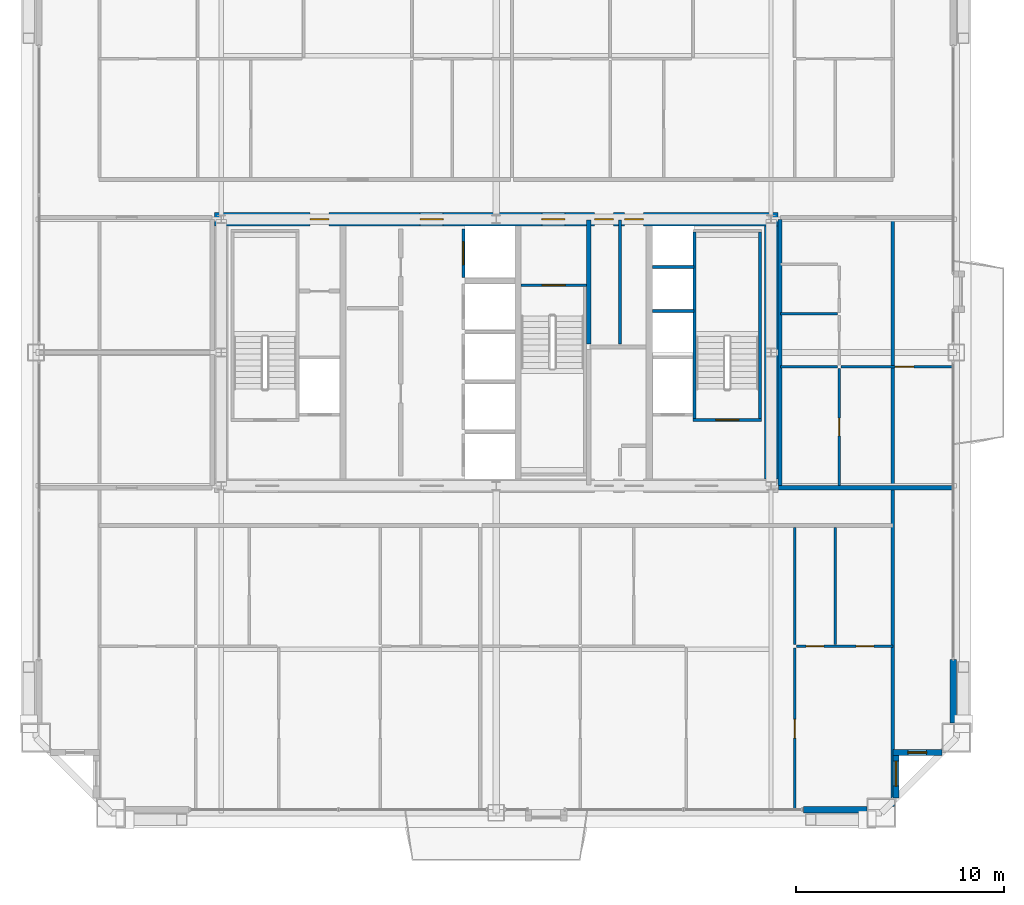
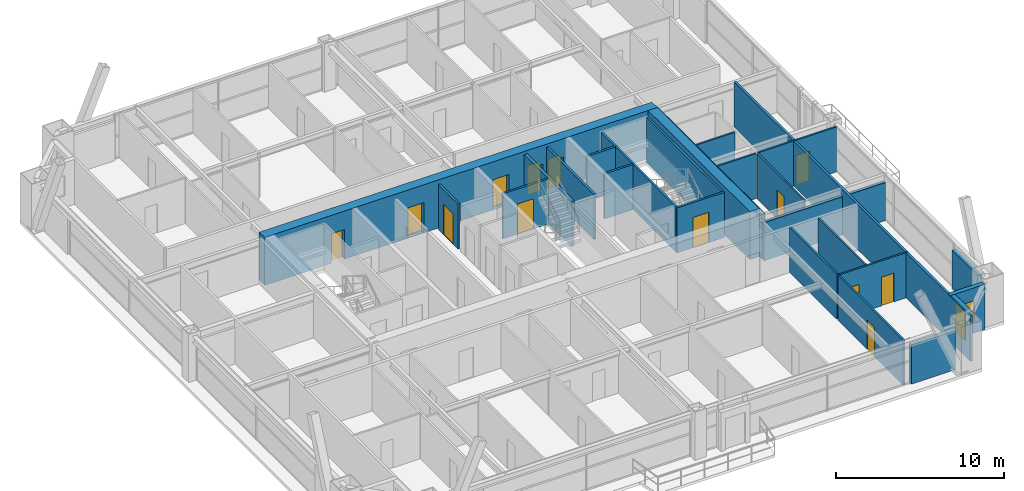
# One storey, part 42 of 45: 26 walls, 13 doors, 2 windows, 15 openings.
"""IFC4 building model written with IfcOpenShell, lengths in metres."""

from ifc_helpers import new_model, si_unit, direction, frame, frame_2d, origin, place, context, subcontext, project, spatial, rectangle, extrude, source, transform, mapped, material, layer, layer_set, type_object, element, fill, save


model = new_model("IFC4")

# Units and contexts
model_context = context("Model", 3, precision=1e-05, world=origin(), true_north=direction((0.0, 1.0)))
body_context = subcontext(model_context, "Body", "Model", "MODEL_VIEW")
ifc_project = project(units=[si_unit("LENGTHUNIT", "METRE"), si_unit("AREAUNIT", "SQUARE_METRE"), si_unit("VOLUMEUNIT", "CUBIC_METRE"), si_unit("PLANEANGLEUNIT", "RADIAN"), si_unit("MASSUNIT", "GRAM", prefix="KILO"), si_unit("THERMODYNAMICTEMPERATUREUNIT", "KELVIN"), si_unit("POWERUNIT", "WATT")], contexts=[model_context])

# Site, building, storey
site_placement = place(None, origin())
site = spatial("IfcSite", under=ifc_project, at=site_placement, CompositionType="ELEMENT")
building_placement = place(site_placement, origin())
building = spatial("IfcBuilding", under=site, at=building_placement, Name="Yuzanri Waterfront Tower", CompositionType="ELEMENT")
storey_placement = place(building_placement, frame((0.0, 0.0, 191.5)))
storey = spatial("IfcBuildingStorey", under=building, at=storey_placement, Name="L50", CompositionType="ELEMENT", Elevation=191.5)

# Wall, openings, doors
ifc_material_1 = material(Name="Moisture-Resistant Gypsum Stud Wall", Category="gypsum")
ifc_layer_1 = layer(ifc_material_1, 0.1201171875)
ifc_layer_set_1 = layer_set([ifc_layer_1], Name="Moisture-Resistant Gypsum Stud Wall")
wall_type_1 = type_object("IfcWallType", Name="Bathroom and Kitchen Wet Partition 120", PredefinedType="PARTITIONING", material=ifc_layer_set_1)
wall_1_placement = place(storey_placement, frame((51.4130859375, 11.699951171875, 0.0), z_axis=(0.0, 0.0, 1.0), x_axis=(1.0, 0.0, 0.0)))
wall_1 = element("IfcWall", 1, at=wall_1_placement, inside=storey, type_object=wall_type_1, Name="L50 Partition UW-L50-RS2-SUB-6-N", PredefinedType="PARTITIONING", context=body_context, shape_type="SweptSolid", body=[
    extrude(rectangle(XDim=4.64697265625, YDim=0.1201171875, at=frame_2d((2.323486328125, 0.0))), origin(), (0.0, 0.0, 1.0), 3.280029296875),
])
opening_1_placement = place(wall_1_placement, frame((2.8720703125, 0.0, 0.0)))
opening_1 = element("IfcOpeningElement", 2, at=opening_1_placement, cuts=wall_1, Name="Opening ID-0850", PredefinedType="OPENING", context=body_context, shape_type="SweptSolid", body=[
    extrude(rectangle(XDim=0.85009765625, YDim=2.10009765625, at=frame_2d((0.425048828125, 1.050048828125))), frame((0.0, 0.074951171875, 0.0), z_axis=(0.0, -1.0, 0.0), x_axis=(1.0, 0.0, 0.0)), (0.0, 0.0, 1.0), 0.14990234375),
])
opening_2_placement = place(wall_1_placement, frame((0.468505859375, 0.0, 0.0)))
opening_2 = element("IfcOpeningElement", 3, at=opening_2_placement, cuts=wall_1, Name="Opening ID-0850", PredefinedType="OPENING", context=body_context, shape_type="SweptSolid", body=[
    extrude(rectangle(XDim=0.85009765625, YDim=2.10009765625, at=frame_2d((0.425048828125, 1.050048828125))), frame((0.0, 0.074951171875, 0.0), z_axis=(0.0, -1.0, 0.0), x_axis=(1.0, 0.0, 0.0)), (0.0, 0.0, 1.0), 0.14990234375),
])
ifc_material_2 = material(Name="Moisture-Resistant Lacquered Timber", Category="wood")
door_type_1 = type_object("IfcDoorType", Name="En-Suite Bathroom and Kitchen Swing Door 850x2100", OperationType="NOTDEFINED", PredefinedType="DOOR", material=ifc_material_2)
shared_shape_1 = source(origin(), body_context, "Body", "SweptSolid", [
    extrude(rectangle(XDim=0.85009765625, YDim=2.10009765625, at=frame_2d((0.425048828125, 1.050048828125))), frame((0.0, 0.02490234375, 0.0), z_axis=(0.0, -1.0, 0.0), x_axis=(1.0, 0.0, 0.0)), (0.0, 0.0, 1.0), 0.050048828125),
])
door_1_placement = place(opening_1_placement, origin())
door_1 = element("IfcDoor", 4, at=door_1_placement, inside=storey, type_object=door_type_1, Name="L50 Suite Interior Room Door", OperationType="SINGLE_SWING_LEFT", OverallHeight=2.10009765625, OverallWidth=0.85009765625, PredefinedType="DOOR", context=body_context, shape_type="MappedRepresentation", body=[
    mapped(shared_shape_1, transform((0.0, 0.0, 0.0), scale=1.0)),
])
fill(opening_1, door_1)
door_2_placement = place(opening_2_placement, origin())
door_2 = element("IfcDoor", 5, at=door_2_placement, inside=storey, type_object=door_type_1, Name="L50 Suite Interior Room Door", OperationType="SINGLE_SWING_RIGHT", OverallHeight=2.10009765625, OverallWidth=0.85009765625, PredefinedType="DOOR", context=body_context, shape_type="MappedRepresentation", body=[
    mapped(shared_shape_1, transform((0.0, 0.0, 0.0), scale=1.0)),
])
fill(opening_2, door_2)

# Wall, opening, door
wall_2_placement = place(storey_placement, frame((51.3330078125, 3.85009765625, 0.0), z_axis=(0.0, 0.0, 1.0), x_axis=(0.0, 1.0, 0.0)))
wall_2 = element("IfcWall", 6, at=wall_2_placement, inside=storey, type_object=wall_type_1, Name="L50 Partition UW-L50-RS2-SUB-6-W", PredefinedType="PARTITIONING", context=body_context, shape_type="SweptSolid", body=[
    extrude(rectangle(XDim=7.77001953125, YDim=0.1201171875, at=frame_2d((3.885009765625, 0.0))), origin(), (0.0, 0.0, 1.0), 3.280029296875),
])
opening_3_placement = place(wall_2_placement, frame((3.43505859375, 0.0, 0.0)))
opening_3 = element("IfcOpeningElement", 7, at=opening_3_placement, cuts=wall_2, Name="Opening ID-0900", PredefinedType="OPENING", context=body_context, shape_type="SweptSolid", body=[
    extrude(rectangle(XDim=0.89990234375, YDim=2.14990234375, at=frame_2d((0.449951171875, 1.074951171875))), frame((0.0, 0.074951171875, 0.0), z_axis=(0.0, -1.0, 0.0), x_axis=(1.0, 0.0, 0.0)), (0.0, 0.0, 1.0), 0.14990234375),
])
ifc_material_3 = material(Name="Stained Walnut Veneer Timber", Category="wood")
door_type_2 = type_object("IfcDoorType", Name="Bedroom and Study Interior Swing Door 900x2150", OperationType="NOTDEFINED", PredefinedType="DOOR", material=ifc_material_3)
shared_shape_2 = source(origin(), body_context, "Body", "SweptSolid", [
    extrude(rectangle(XDim=0.89990234375, YDim=2.14990234375, at=frame_2d((0.449951171875, 1.074951171875))), frame((0.0, 0.02490234375, 0.0), z_axis=(0.0, -1.0, 0.0), x_axis=(1.0, 0.0, 0.0)), (0.0, 0.0, 1.0), 0.050048828125),
])
door_3_placement = place(opening_3_placement, origin())
door_3 = element("IfcDoor", 8, at=door_3_placement, inside=storey, type_object=door_type_2, Name="L50 Suite Interior Room Door", OperationType="SINGLE_SWING_RIGHT", OverallHeight=2.14990234375, OverallWidth=0.89990234375, PredefinedType="DOOR", context=body_context, shape_type="MappedRepresentation", body=[
    mapped(shared_shape_2, transform((0.0, 0.0, 0.0), scale=1.0)),
])
fill(opening_3, door_3)

wall_3_placement = place(storey_placement, frame((53.56005859375, 25.113037109375, 0.0), z_axis=(0.0, 0.0, 1.0), x_axis=(1.0, 0.0, 0.0)))
wall_3 = element("IfcWall", 9, at=wall_3_placement, inside=storey, type_object=wall_type_1, Name="L50 Partition UW-L50-RE1-SUB-3-N", PredefinedType="PARTITIONING", context=body_context, shape_type="SweptSolid", body=[
    extrude(rectangle(XDim=5.389892578125, YDim=0.1201171875, at=frame_2d((2.69482421875, 0.0))), origin(), (0.0, 0.0, 1.0), 3.280029296875),
])
opening_4_placement = place(wall_3_placement, frame((2.593994140625, 0.0, 0.0)))
opening_4 = element("IfcOpeningElement", 10, at=opening_4_placement, cuts=wall_3, Name="Opening ID-0900", PredefinedType="OPENING", context=body_context, shape_type="SweptSolid", body=[
    extrude(rectangle(XDim=0.89990234375, YDim=2.14990234375, at=frame_2d((0.449951171875, 1.074951171875))), frame((0.0, 0.074951171875, 0.0), z_axis=(0.0, -1.0, 0.0), x_axis=(1.0, 0.0, 0.0)), (0.0, 0.0, 1.0), 0.14990234375),
])
door_4_placement = place(opening_4_placement, origin())
door_4 = element("IfcDoor", 11, at=door_4_placement, inside=storey, type_object=door_type_2, Name="L50 Suite Interior Room Door", OperationType="SINGLE_SWING_LEFT", OverallHeight=2.14990234375, OverallWidth=0.89990234375, PredefinedType="DOOR", context=body_context, shape_type="MappedRepresentation", body=[
    mapped(shared_shape_2, transform((0.0, 0.0, 0.0), scale=1.0)),
])
fill(opening_4, door_4)

wall_4_placement = place(storey_placement, frame((53.47998046875, 19.409912109375, 0.0), z_axis=(0.0, 0.0, 1.0), x_axis=(0.0, 1.0, 0.0)))
wall_4 = element("IfcWall", 12, at=wall_4_placement, inside=storey, type_object=wall_type_1, Name="L50 Partition UW-L50-RE1-SUB-3-W", PredefinedType="PARTITIONING", context=body_context, shape_type="SweptSolid", body=[
    extrude(rectangle(XDim=5.623046875, YDim=0.1201171875, at=frame_2d((2.8115234375, 0.0))), origin(), (0.0, 0.0, 1.0), 3.280029296875),
])
opening_5_placement = place(wall_4_placement, frame((2.386474609375, 0.0, 0.0)))
opening_5 = element("IfcOpeningElement", 13, at=opening_5_placement, cuts=wall_4, Name="Opening ID-0850", PredefinedType="OPENING", context=body_context, shape_type="SweptSolid", body=[
    extrude(rectangle(XDim=0.85009765625, YDim=2.10009765625, at=frame_2d((0.425048828125, 1.050048828125))), frame((0.0, 0.074951171875, 0.0), z_axis=(0.0, -1.0, 0.0), x_axis=(1.0, 0.0, 0.0)), (0.0, 0.0, 1.0), 0.14990234375),
])
door_5_placement = place(opening_5_placement, origin())
door_5 = element("IfcDoor", 14, at=door_5_placement, inside=storey, type_object=door_type_1, Name="L50 Suite Interior Room Door", OperationType="SINGLE_SWING_RIGHT", OverallHeight=2.10009765625, OverallWidth=0.85009765625, PredefinedType="DOOR", context=body_context, shape_type="MappedRepresentation", body=[
    mapped(shared_shape_1, transform((0.0, 0.0, 0.0), scale=1.0)),
])
fill(opening_5, door_5)

# Wall, opening, window
ifc_material_4 = material(Name="Honed Chongqing Dark Basalt Stone", Category="masonry")
ifc_layer_2 = layer(ifc_material_4, 0.300048828125)
ifc_layer_set_2 = layer_set([ifc_layer_2], Name="Honed Chongqing Dark Basalt Stone")
wall_type_2 = type_object("IfcWallType", Name="Bronze Rainscreen Insulated Spandrel Portal Wall 300", PredefinedType="SOLIDWALL", material=ifc_layer_set_2)
wall_5_placement = place(storey_placement, frame((56.050048828125, 6.60009765625, 0.0), z_axis=(0.0, 0.0, 1.0), x_axis=(1.0, 0.0, 0.0)))
wall_5 = element("IfcWall", 15, at=wall_5_placement, inside=storey, type_object=wall_type_2, Name="L50 Notched Corner Masonry Wall SE-X", PredefinedType="SOLIDWALL", context=body_context, shape_type="SweptSolid", body=[
    extrude(rectangle(XDim=2.349853515625, YDim=0.300048828125, at=frame_2d((1.1748046875, 0.0))), origin(), (0.0, 0.0, 1.0), 3.280029296875),
])
opening_6_placement = place(wall_5_placement, frame((0.72509765625, 0.0, 0.85009765625)))
opening_6 = element("IfcOpeningElement", 16, at=opening_6_placement, cuts=wall_5, Name="Opening WN-05", PredefinedType="OPENING", context=body_context, shape_type="SweptSolid", body=[
    extrude(rectangle(XDim=0.89990234375, YDim=1.5, at=frame_2d((0.449951171875, 0.75))), frame((0.0, 0.1650390625, 0.0), z_axis=(0.0, -1.0, 0.0), x_axis=(1.0, 0.0, 0.0)), (0.0, 0.0, 1.0), 0.329833984375),
])
ifc_material_5 = material(Name="Double-Silver Low-E Insulated Glass", Category="glass")
window_type_1 = type_object("IfcWindowType", Name="Anodized Bronze Service and Stairwell Smoke-Vent Window 900x1500", PartitioningType="SINGLE_PANEL", PredefinedType="WINDOW", material=ifc_material_5)
shared_shape_3 = source(origin(), body_context, "Body", "SweptSolid", [
    extrude(rectangle(XDim=0.89990234375, YDim=1.5, at=frame_2d((0.449951171875, 0.75))), frame((0.0, 0.030029296875, 0.0), z_axis=(0.0, -1.0, 0.0), x_axis=(1.0, 0.0, 0.0)), (0.0, 0.0, 1.0), 0.06005859375),
])
window_1_placement = place(opening_6_placement, origin())
window_1 = element("IfcWindow", 17, at=window_1_placement, inside=storey, type_object=window_type_1, Name="L50 Notched Corner Window SE-X", OverallHeight=1.5, OverallWidth=0.89990234375, PartitioningType="SINGLE_PANEL", PredefinedType="WINDOW", context=body_context, shape_type="MappedRepresentation", body=[
    mapped(shared_shape_3, transform((0.0, 0.0, 0.0), scale=1.0)),
])
fill(opening_6, window_1)

wall_6_placement = place(storey_placement, frame((56.199951171875, 4.39990234375, 0.0), z_axis=(0.0, 0.0, 1.0), x_axis=(0.0, 1.0, 0.0)))
wall_6 = element("IfcWall", 18, at=wall_6_placement, inside=storey, type_object=wall_type_2, Name="L50 Notched Corner Masonry Wall SE-Y", PredefinedType="SOLIDWALL", context=body_context, shape_type="SweptSolid", body=[
    extrude(rectangle(XDim=2.35009765625, YDim=0.300048828125, at=frame_2d((1.175048828125, 0.0))), origin(), (0.0, 0.0, 1.0), 3.280029296875),
])
opening_7_placement = place(wall_6_placement, frame((0.574951171875, 0.0, 0.85009765625)))
opening_7 = element("IfcOpeningElement", 19, at=opening_7_placement, cuts=wall_6, Name="Opening WN-02", PredefinedType="OPENING", context=body_context, shape_type="SweptSolid", body=[
    extrude(rectangle(XDim=1.199951171875, YDim=2.10009765625, at=frame_2d((0.60009765625, 1.050048828125))), frame((0.0, 0.1650390625, 0.0), z_axis=(0.0, -1.0, 0.0), x_axis=(1.0, 0.0, 0.0)), (0.0, 0.0, 1.0), 0.329833984375),
])
ifc_material_6 = material(Name="Double-Silver Low-E Insulated Glass", Category="glass")
window_type_2 = type_object("IfcWindowType", Name="Anodized Bronze Notched Corner Deep-Set Slot Window 1200x2100", PartitioningType="SINGLE_PANEL", PredefinedType="WINDOW", material=ifc_material_6)
shared_shape_4 = source(origin(), body_context, "Body", "SweptSolid", [
    extrude(rectangle(XDim=1.199951171875, YDim=2.10009765625, at=frame_2d((0.60009765625, 1.050048828125))), frame((0.0, 0.030029296875, 0.0), z_axis=(0.0, -1.0, 0.0), x_axis=(1.0, 0.0, 0.0)), (0.0, 0.0, 1.0), 0.06005859375),
])
window_2_placement = place(opening_7_placement, origin())
window_2 = element("IfcWindow", 20, at=window_2_placement, inside=storey, type_object=window_type_2, Name="L50 Notched Corner Window SE-Y", OverallHeight=2.10009765625, OverallWidth=1.199951171875, PartitioningType="SINGLE_PANEL", PredefinedType="WINDOW", context=body_context, shape_type="MappedRepresentation", body=[
    mapped(shared_shape_4, transform((0.0, 0.0, 0.0), scale=1.0)),
])
fill(opening_7, window_2)

# Wall, openings, doors
ifc_material_7 = material(Name="Concrete C50", Category="concrete")
ifc_layer_3 = layer(ifc_material_7, 0.64990234375)
ifc_layer_set_3 = layer_set([ifc_layer_3], Name="Concrete C50")
wall_type_3 = type_object("IfcWallType", Name="Concrete C50 Mid Zone Core Shear Wall 650", PredefinedType="SHEAR", material=ifc_layer_set_3)
wall_7_placement = place(storey_placement, frame((23.47509765625, 32.199951171875, 0.0), z_axis=(0.0, 0.0, 1.0), x_axis=(1.0, 0.0, 0.0)))
wall_7 = element("IfcWall", 21, at=wall_7_placement, inside=storey, type_object=wall_type_3, Name="L50 Core North Shear Wall", PredefinedType="SHEAR", context=body_context, shape_type="SweptSolid", body=[
    extrude(rectangle(XDim=27.0498046875, YDim=0.64990234375, at=frame_2d((13.52490234375, 0.0))), origin(), (0.0, 0.0, 1.0), 3.5),
])
opening_8_placement = place(wall_7_placement, frame((4.594970703125, 0.0, 0.0)))
opening_8 = element("IfcOpeningElement", 22, at=opening_8_placement, cuts=wall_7, Name="Opening FD-0900", PredefinedType="OPENING", context=body_context, shape_type="SweptSolid", body=[
    extrude(rectangle(XDim=0.89990234375, YDim=2.14990234375, at=frame_2d((0.449951171875, 1.074951171875))), frame((0.0, 0.33984375, 0.0), z_axis=(0.0, -1.0, 0.0), x_axis=(1.0, 0.0, 0.0)), (0.0, 0.0, 1.0), 0.6796875),
])
opening_9_placement = place(wall_7_placement, frame((9.875, 0.0, 0.0)))
opening_9 = element("IfcOpeningElement", 23, at=opening_9_placement, cuts=wall_7, Name="Opening FD-1100", PredefinedType="OPENING", context=body_context, shape_type="SweptSolid", body=[
    extrude(rectangle(XDim=1.10009765625, YDim=2.199951171875, at=frame_2d((0.550048828125, 1.10009765625))), frame((0.0, 0.33984375, 0.0), z_axis=(0.0, -1.0, 0.0), x_axis=(1.0, 0.0, 0.0)), (0.0, 0.0, 1.0), 0.6796875),
])
opening_10_placement = place(wall_7_placement, frame((15.72509765625, 0.0, 0.0)))
opening_10 = element("IfcOpeningElement", 24, at=opening_10_placement, cuts=wall_7, Name="Opening FD-1100", PredefinedType="OPENING", context=body_context, shape_type="SweptSolid", body=[
    extrude(rectangle(XDim=1.10009765625, YDim=2.199951171875, at=frame_2d((0.550048828125, 1.10009765625))), frame((0.0, 0.33984375, 0.0), z_axis=(0.0, -1.0, 0.0), x_axis=(1.0, 0.0, 0.0)), (0.0, 0.0, 1.0), 0.6796875),
])
opening_11_placement = place(wall_7_placement, frame((18.2548828125, 0.0, 0.0)))
opening_11 = element("IfcOpeningElement", 25, at=opening_11_placement, cuts=wall_7, Name="Opening FD-0900", PredefinedType="OPENING", context=body_context, shape_type="SweptSolid", body=[
    extrude(rectangle(XDim=0.89990234375, YDim=2.14990234375, at=frame_2d((0.449951171875, 1.074951171875))), frame((0.0, 0.33984375, 0.0), z_axis=(0.0, -1.0, 0.0), x_axis=(1.0, 0.0, 0.0)), (0.0, 0.0, 1.0), 0.6796875),
])
opening_12_placement = place(wall_7_placement, frame((19.695068359375, 0.0, 0.0)))
opening_12 = element("IfcOpeningElement", 26, at=opening_12_placement, cuts=wall_7, Name="Opening FD-0900", PredefinedType="OPENING", context=body_context, shape_type="SweptSolid", body=[
    extrude(rectangle(XDim=0.89990234375, YDim=2.14990234375, at=frame_2d((0.449951171875, 1.074951171875))), frame((0.0, 0.33984375, 0.0), z_axis=(0.0, -1.0, 0.0), x_axis=(1.0, 0.0, 0.0)), (0.0, 0.0, 1.0), 0.6796875),
])
ifc_material_8 = material(Name="Painted Galvanized Fire Steel", Category="steel")
door_type_3 = type_object("IfcDoorType", Name="Smoke-Proof Stair and Lobby Fire Door 1100x2200", OperationType="NOTDEFINED", PredefinedType="DOOR", material=ifc_material_8)
shared_shape_5 = source(origin(), body_context, "Body", "SweptSolid", [
    extrude(rectangle(XDim=1.10009765625, YDim=2.199951171875, at=frame_2d((0.550048828125, 1.10009765625))), frame((0.0, 0.02490234375, 0.0), z_axis=(0.0, -1.0, 0.0), x_axis=(1.0, 0.0, 0.0)), (0.0, 0.0, 1.0), 0.050048828125),
])
door_6_placement = place(opening_9_placement, origin())
door_6 = element("IfcDoor", 27, at=door_6_placement, inside=storey, type_object=door_type_3, Name="L50 Central Lift Lobby North Door", OperationType="SINGLE_SWING_LEFT", OverallHeight=2.199951171875, OverallWidth=1.10009765625, PredefinedType="DOOR", context=body_context, shape_type="MappedRepresentation", body=[
    mapped(shared_shape_5, transform((0.0, 0.0, 0.0), scale=1.0)),
])
fill(opening_9, door_6)
door_7_placement = place(opening_10_placement, origin())
door_7 = element("IfcDoor", 28, at=door_7_placement, inside=storey, type_object=door_type_3, Name="L50 North Stair Lobby Door", OperationType="SINGLE_SWING_RIGHT", OverallHeight=2.199951171875, OverallWidth=1.10009765625, PredefinedType="DOOR", context=body_context, shape_type="MappedRepresentation", body=[
    mapped(shared_shape_5, transform((0.0, 0.0, 0.0), scale=1.0)),
])
fill(opening_10, door_7)
ifc_material_9 = material(Name="Painted Galvanized Fire Steel", Category="steel")
door_type_4 = type_object("IfcDoorType", Name="Riser and Service Room Fire Door 900x2150", OperationType="NOTDEFINED", PredefinedType="DOOR", material=ifc_material_9)
shared_shape_6 = source(origin(), body_context, "Body", "SweptSolid", [
    extrude(rectangle(XDim=0.89990234375, YDim=2.14990234375, at=frame_2d((0.449951171875, 1.074951171875))), frame((0.0, 0.02490234375, 0.0), z_axis=(0.0, -1.0, 0.0), x_axis=(1.0, 0.0, 0.0)), (0.0, 0.0, 1.0), 0.050048828125),
])
door_8_placement = place(opening_8_placement, origin())
door_8 = element("IfcDoor", 29, at=door_8_placement, inside=storey, type_object=door_type_4, Name="L50 Telecom Riser Door", OperationType="SINGLE_SWING_RIGHT", OverallHeight=2.14990234375, OverallWidth=0.89990234375, PredefinedType="DOOR", context=body_context, shape_type="MappedRepresentation", body=[
    mapped(shared_shape_6, transform((0.0, 0.0, 0.0), scale=1.0)),
])
fill(opening_8, door_8)
door_9_placement = place(opening_11_placement, origin())
door_9 = element("IfcDoor", 30, at=door_9_placement, inside=storey, type_object=door_type_4, Name="L50 Common Store Room", OperationType="SINGLE_SWING_RIGHT", OverallHeight=2.14990234375, OverallWidth=0.89990234375, PredefinedType="DOOR", context=body_context, shape_type="MappedRepresentation", body=[
    mapped(shared_shape_6, transform((0.0, 0.0, 0.0), scale=1.0)),
])
fill(opening_11, door_9)
door_10_placement = place(opening_12_placement, origin())
door_10 = element("IfcDoor", 31, at=door_10_placement, inside=storey, type_object=door_type_4, Name="L50 Linen Store Room", OperationType="SINGLE_SWING_LEFT", OverallHeight=2.14990234375, OverallWidth=0.89990234375, PredefinedType="DOOR", context=body_context, shape_type="MappedRepresentation", body=[
    mapped(shared_shape_6, transform((0.0, 0.0, 0.0), scale=1.0)),
])
fill(opening_12, door_10)

# Wall, opening, door
ifc_material_10 = material(Name="Concrete C40", Category="concrete")
ifc_layer_4 = layer(ifc_material_10, 0.139892578125)
ifc_layer_set_4 = layer_set([ifc_layer_4], Name="Concrete C40")
wall_type_4 = type_object("IfcWallType", Name="Core Stair Liner and Hoistway Shaft Wall 140", PredefinedType="SOLIDWALL", material=ifc_layer_set_4)
wall_8_placement = place(storey_placement, frame((35.429931640625, 29.39990234375, 0.0), z_axis=(0.0, 0.0, 1.0), x_axis=(0.0, 1.0, 0.0)))
wall_8 = element("IfcWall", 32, at=wall_8_placement, inside=storey, type_object=wall_type_4, Name="L50 Lift SL-02 Front Shaft Wall", PredefinedType="SOLIDWALL", context=body_context, shape_type="SweptSolid", body=[
    extrude(rectangle(XDim=2.340087890625, YDim=0.139892578125, at=frame_2d((1.169921875, 0.0))), origin(), (0.0, 0.0, 1.0), 3.280029296875),
])
opening_13_placement = place(wall_8_placement, frame((0.6201171875, 0.0, 0.0)))
opening_13 = element("IfcOpeningElement", 33, at=opening_13_placement, cuts=wall_8, Name="Opening LD-SL-02", PredefinedType="OPENING", context=body_context, shape_type="SweptSolid", body=[
    extrude(rectangle(XDim=1.10009765625, YDim=2.199951171875, at=frame_2d((0.550048828125, 1.10009765625))), frame((0.0, 0.0849609375, 0.0), z_axis=(0.0, -1.0, 0.0), x_axis=(1.0, 0.0, 0.0)), (0.0, 0.0, 1.0), 0.169677734375),
])
ifc_material_11 = material(Name="Brushed Bronze and Stainless Steel Cab", Category="steel")
door_type_5 = type_object("IfcDoorType", Name="Center-Parting Bronze Lift Landing Sliding Door 1100x2200", OperationType="NOTDEFINED", PredefinedType="DOOR", material=ifc_material_11)
shared_shape_7 = source(origin(), body_context, "Body", "SweptSolid", [
    extrude(rectangle(XDim=1.10009765625, YDim=2.199951171875, at=frame_2d((0.550048828125, 1.10009765625))), frame((0.0, 0.02490234375, 0.0), z_axis=(0.0, -1.0, 0.0), x_axis=(1.0, 0.0, 0.0)), (0.0, 0.0, 1.0), 0.050048828125),
])
door_11_placement = place(opening_13_placement, origin())
door_11 = element("IfcDoor", 34, at=door_11_placement, inside=storey, type_object=door_type_5, Name="L50 SL-02 Lift Landing Sliding Door", OperationType="SLIDING_TO_RIGHT", OverallHeight=2.199951171875, OverallWidth=1.10009765625, PredefinedType="DOOR", context=body_context, shape_type="MappedRepresentation", body=[
    mapped(shared_shape_7, transform((0.0, 0.0, 0.0), scale=1.0)),
])
fill(opening_13, door_11)

wall_9_placement = place(storey_placement, frame((46.4599609375, 22.570068359375, 0.0), z_axis=(0.0, 0.0, 1.0), x_axis=(1.0, 0.0, 0.0)))
wall_9 = element("IfcWall", 35, at=wall_9_placement, inside=storey, type_object=wall_type_4, Name="L50 Shaft Wall STW-L50-ST-02-S", PredefinedType="SOLIDWALL", context=body_context, shape_type="SweptSolid", body=[
    extrude(rectangle(XDim=3.280029296875, YDim=0.139892578125, at=frame_2d((1.64013671875, 0.0))), origin(), (0.0, 0.0, 1.0), 3.280029296875),
])
opening_14_placement = place(wall_9_placement, frame((1.090087890625, 0.0, 0.0)))
opening_14 = element("IfcOpeningElement", 36, at=opening_14_placement, cuts=wall_9, Name="Opening FD-1100", PredefinedType="OPENING", context=body_context, shape_type="SweptSolid", body=[
    extrude(rectangle(XDim=1.10009765625, YDim=2.199951171875, at=frame_2d((0.550048828125, 1.10009765625))), frame((0.0, 0.0849609375, 0.0), z_axis=(0.0, -1.0, 0.0), x_axis=(1.0, 0.0, 0.0)), (0.0, 0.0, 1.0), 0.169677734375),
])
door_12_placement = place(opening_14_placement, origin())
door_12 = element("IfcDoor", 37, at=door_12_placement, inside=storey, type_object=door_type_3, Name="L50 Stair ST-02 Fire Door", OperationType="SINGLE_SWING_LEFT", OverallHeight=2.199951171875, OverallWidth=1.10009765625, PredefinedType="DOOR", context=body_context, shape_type="MappedRepresentation", body=[
    mapped(shared_shape_5, transform((0.0, 0.0, 0.0), scale=1.0)),
])
fill(opening_14, door_12)

wall_10_placement = place(storey_placement, frame((38.199951171875, 29.030029296875, 0.0), z_axis=(0.0, 0.0, 1.0), x_axis=(1.0, 0.0, 0.0)))
wall_10 = element("IfcWall", 38, at=wall_10_placement, inside=storey, type_object=wall_type_4, Name="L50 Shaft Wall STW-L50-ST-03-N", PredefinedType="SOLIDWALL", context=body_context, shape_type="SweptSolid", body=[
    extrude(rectangle(XDim=3.14013671875, YDim=0.139892578125, at=frame_2d((1.570068359375, 0.0))), origin(), (0.0, 0.0, 1.0), 3.280029296875),
])
opening_15_placement = place(wall_10_placement, frame((1.02001953125, 0.0, 0.0)))
opening_15 = element("IfcOpeningElement", 39, at=opening_15_placement, cuts=wall_10, Name="Opening FD-1100", PredefinedType="OPENING", context=body_context, shape_type="SweptSolid", body=[
    extrude(rectangle(XDim=1.10009765625, YDim=2.199951171875, at=frame_2d((0.550048828125, 1.10009765625))), frame((0.0, 0.0849609375, 0.0), z_axis=(0.0, -1.0, 0.0), x_axis=(1.0, 0.0, 0.0)), (0.0, 0.0, 1.0), 0.169677734375),
])
door_13_placement = place(opening_15_placement, origin())
door_13 = element("IfcDoor", 40, at=door_13_placement, inside=storey, type_object=door_type_3, Name="L50 Stair ST-03 Fire Door", OperationType="SINGLE_SWING_RIGHT", OverallHeight=2.199951171875, OverallWidth=1.10009765625, PredefinedType="DOOR", context=body_context, shape_type="MappedRepresentation", body=[
    mapped(shared_shape_5, transform((0.0, 0.0, 0.0), scale=1.0)),
])
fill(opening_15, door_13)

# Walls
shared_shape_8 = source(origin(), body_context, "Body", "SweptSolid", [
    extrude(rectangle(XDim=12.14990234375, YDim=0.64990234375, at=frame_2d((6.074951171875, 0.0))), origin(), (0.0, 0.0, 1.0), 3.5),
])
wall_11_placement = place(storey_placement, frame((50.199951171875, 19.72509765625, 0.0), z_axis=(0.0, 0.0, 1.0), x_axis=(0.0, 1.0, 0.0)))
element("IfcWall", 41, at=wall_11_placement, inside=storey, type_object=wall_type_3, Name="L50 Core East Shear Wall", PredefinedType="SHEAR", context=body_context, shape_type="MappedRepresentation", body=[
    mapped(shared_shape_8, transform((0.0, 0.0, 0.0), scale=1.0)),
])
shared_shape_9 = source(origin(), body_context, "Body", "SweptSolid", [
    extrude(rectangle(XDim=3.050048828125, YDim=0.300048828125, at=frame_2d((1.52490234375, 0.0))), origin(), (0.0, 0.0, 1.0), 2.8349609375),
])
for number, where, z_axis, x_axis, name in (
    (42, (51.75, 3.85009765625, 0.0), (0.0, 0.0, 1.0), (1.0, 0.0, 0.0), "L50 S Right Braced Masonry Shoulder"),
    (43, (58.949951171875, 8.0, 0.0), (0.0, 0.0, 1.0), (0.0, 1.0, 0.0), "L50 E Left Braced Masonry Shoulder"),
):
    element("IfcWall", number, at=place(storey_placement, frame(where, z_axis=z_axis, x_axis=x_axis)), inside=storey, type_object=wall_type_2, Name=name, PredefinedType="SOLIDWALL", context=body_context, shape_type="MappedRepresentation", body=[
        mapped(shared_shape_9, transform((0.0, 0.0, 0.0), scale=1.0)),
    ])
shared_shape_10 = source(origin(), body_context, "Body", "SweptSolid", [
    extrude(rectangle(XDim=2.0, YDim=0.139892578125, at=frame_2d((1.0, 0.0))), origin(), (0.0, 0.0, 1.0), 3.280029296875),
])
for number, where, z_axis, x_axis, name in (
    (44, (44.5, 27.800048828125, 0.0), (0.0, 0.0, 1.0), (1.0, 0.0, 0.0), "L50 Lift PL-09 Divider Wall"),
    (45, (44.5, 29.89990234375, 0.0), (0.0, 0.0, 1.0), (1.0, 0.0, 0.0), "L50 Lift PL-10 Divider Wall"),
):
    element("IfcWall", number, at=place(storey_placement, frame(where, z_axis=z_axis, x_axis=x_axis)), inside=storey, type_object=wall_type_4, Name=name, PredefinedType="SOLIDWALL", context=body_context, shape_type="MappedRepresentation", body=[
        mapped(shared_shape_10, transform((0.0, 0.0, 0.0), scale=1.0)),
    ])
shared_shape_11 = source(origin(), body_context, "Body", "SweptSolid", [
    extrude(rectangle(XDim=8.940185546875, YDim=0.139892578125, at=frame_2d((4.47021484375, 0.0))), origin(), (0.0, 0.0, 1.0), 3.280029296875),
])
for number, where, z_axis, x_axis, name in (
    (46, (46.530029296875, 22.639892578125, 0.0), (0.0, 0.0, 1.0), (0.0, 1.0, 0.0), "L50 Stair ST-02 West Shaft Wall"),
    (47, (49.669921875, 22.639892578125, 0.0), (0.0, 0.0, 1.0), (0.0, 1.0, 0.0), "L50 Stair ST-02 East Shaft Wall"),
):
    element("IfcWall", number, at=place(storey_placement, frame(where, z_axis=z_axis, x_axis=x_axis)), inside=storey, type_object=wall_type_4, Name=name, PredefinedType="SOLIDWALL", context=body_context, shape_type="MappedRepresentation", body=[
        mapped(shared_shape_11, transform((0.0, 0.0, 0.0), scale=1.0)),
    ])
ifc_material_12 = material(Name="Autoclaved Aerated Concrete Blockwork", Category="masonry")
ifc_layer_5 = layer(ifc_material_12, 0.199951171875)
ifc_layer_set_5 = layer_set([ifc_layer_5], Name="Autoclaved Aerated Concrete Blockwork")
wall_type_5 = type_object("IfcWallType", Name="Corridor and Unit Party Fire Wall 200", PredefinedType="PARTITIONING", material=ifc_layer_set_5)
shared_shape_12 = source(origin(), body_context, "Body", "SweptSolid", [
    extrude(rectangle(XDim=8.39990234375, YDim=0.199951171875, at=frame_2d((4.199951171875, 0.0))), origin(), (0.0, 0.0, 1.0), 2.77490234375),
])
wall_12_placement = place(storey_placement, frame((50.550048828125, 19.31005859375, 0.0), z_axis=(0.0, 0.0, 1.0), x_axis=(1.0, 0.0, 0.0)))
element("IfcWall", 48, at=wall_12_placement, inside=storey, type_object=wall_type_5, Name="L50-RE1 Wing South Wall", PredefinedType="PARTITIONING", context=body_context, shape_type="MappedRepresentation", body=[
    mapped(shared_shape_12, transform((0.0, 0.0, 0.0), scale=1.0)),
])
shared_shape_13 = source(origin(), body_context, "Body", "SweptSolid", [
    extrude(rectangle(XDim=12.780029296875, YDim=0.199951171875, at=frame_2d((6.39013671875, 0.0))), origin(), (0.0, 0.0, 1.0), 3.280029296875),
])
wall_13_placement = place(storey_placement, frame((50.6298828125, 19.409912109375, 0.0), z_axis=(0.0, 0.0, 1.0), x_axis=(0.0, 1.0, 0.0)))
element("IfcWall", 49, at=wall_13_placement, inside=storey, type_object=wall_type_5, Name="L50-RE1 Wing Inner Core-Side Wall", PredefinedType="PARTITIONING", context=body_context, shape_type="MappedRepresentation", body=[
    mapped(shared_shape_13, transform((0.0, 0.0, 0.0), scale=1.0)),
])
shared_shape_14 = source(origin(), body_context, "Body", "SweptSolid", [
    extrude(rectangle(XDim=2.75, YDim=0.1201171875, at=frame_2d((1.375, 0.0))), origin(), (0.0, 0.0, 1.0), 3.280029296875),
])
for number, where, z_axis, x_axis, name in (
    (50, (50.64990234375, 25.113037109375, 0.0), (0.0, 0.0, 1.0), (1.0, 0.0, 0.0), "L50 Partition UW-L50-RE1-SUB-1-S"),
    (51, (50.64990234375, 27.652099609375, 0.0), (0.0, 0.0, 1.0), (1.0, 0.0, 0.0), "L50 Partition UW-L50-RE1-SUB-1-N"),
):
    element("IfcWall", number, at=place(storey_placement, frame(where, z_axis=z_axis, x_axis=x_axis)), inside=storey, type_object=wall_type_1, Name=name, PredefinedType="PARTITIONING", context=body_context, shape_type="MappedRepresentation", body=[
        mapped(shared_shape_14, transform((0.0, 0.0, 0.0), scale=1.0)),
    ])
shared_shape_15 = source(origin(), body_context, "Body", "SweptSolid", [
    extrude(rectangle(XDim=5.9599609375, YDim=0.199951171875, at=frame_2d((2.97998046875, 0.0))), origin(), (0.0, 0.0, 1.0), 3.280029296875),
])
wall_14_placement = place(storey_placement, frame((41.449951171875, 26.199951171875, 0.0), z_axis=(0.0, 0.0, 1.0), x_axis=(0.0, 1.0, 0.0)))
element("IfcWall", 52, at=wall_14_placement, inside=storey, type_object=wall_type_5, Name="L50 Core BOH West Wall 2", PredefinedType="PARTITIONING", context=body_context, shape_type="MappedRepresentation", body=[
    mapped(shared_shape_15, transform((0.0, 0.0, 0.0), scale=1.0)),
])
ifc_material_13 = material(Name="Gypsum Fireboard Acoustic Stud Wall", Category="gypsum")
ifc_layer_6 = layer(ifc_material_13, 0.159912109375)
ifc_layer_set_6 = layer_set([ifc_layer_6], Name="Gypsum Fireboard Acoustic Stud Wall")
wall_type_6 = type_object("IfcWallType", Name="Acoustic Suite Demising Partition 160", PredefinedType="PARTITIONING", material=ifc_layer_set_6)
shared_shape_16 = source(origin(), body_context, "Body", "SweptSolid", [
    extrude(rectangle(XDim=5.9599609375, YDim=0.159912109375, at=frame_2d((2.97998046875, 0.0))), origin(), (0.0, 0.0, 1.0), 3.280029296875),
])
wall_15_placement = place(storey_placement, frame((42.949951171875, 26.199951171875, 0.0), z_axis=(0.0, 0.0, 1.0), x_axis=(0.0, 1.0, 0.0)))
element("IfcWall", 53, at=wall_15_placement, inside=storey, type_object=wall_type_6, Name="L50 Core BOH Mid Wall 3", PredefinedType="PARTITIONING", context=body_context, shape_type="MappedRepresentation", body=[
    mapped(shared_shape_16, transform((0.0, 0.0, 0.0), scale=1.0)),
])
shared_shape_17 = source(origin(), body_context, "Body", "SweptSolid", [
    extrude(rectangle(XDim=5.60986328125, YDim=0.1201171875, at=frame_2d((2.804931640625, 0.0))), origin(), (0.0, 0.0, 1.0), 3.280029296875),
])
for number, where, z_axis, x_axis, name in (
    (54, (53.280029296875, 11.780029296875, 0.0), (0.0, 0.0, 1.0), (0.0, 1.0, 0.0), "L50 Partition UW-L50-RS2-SUB-3-W"),
    (55, (51.3330078125, 11.780029296875, 0.0), (0.0, 0.0, 1.0), (0.0, 1.0, 0.0), "L50 Partition UW-L50-RS2-SUB-4-W"),
):
    element("IfcWall", number, at=place(storey_placement, frame(where, z_axis=z_axis, x_axis=x_axis)), inside=storey, type_object=wall_type_1, Name=name, PredefinedType="PARTITIONING", context=body_context, shape_type="MappedRepresentation", body=[
        mapped(shared_shape_17, transform((0.0, 0.0, 0.0), scale=1.0)),
    ])
shared_shape_18 = source(origin(), body_context, "Body", "SweptSolid", [
    extrude(rectangle(XDim=28.18994140625, YDim=0.159912109375, at=frame_2d((14.094970703125, 0.0))), origin(), (0.0, 0.0, 1.0), 3.280029296875),
])
wall_16_placement = place(storey_placement, frame((56.050048828125, 4.0, 0.0), z_axis=(0.0, 0.0, 1.0), x_axis=(0.0, 1.0, 0.0)))
element("IfcWall", 56, at=wall_16_placement, inside=storey, type_object=wall_type_6, Name="L50 South Band East End Wall", PredefinedType="PARTITIONING", context=body_context, shape_type="MappedRepresentation", body=[
    mapped(shared_shape_18, transform((0.0, 0.0, 0.0), scale=1.0)),
])

save(model, "model.ifc")
